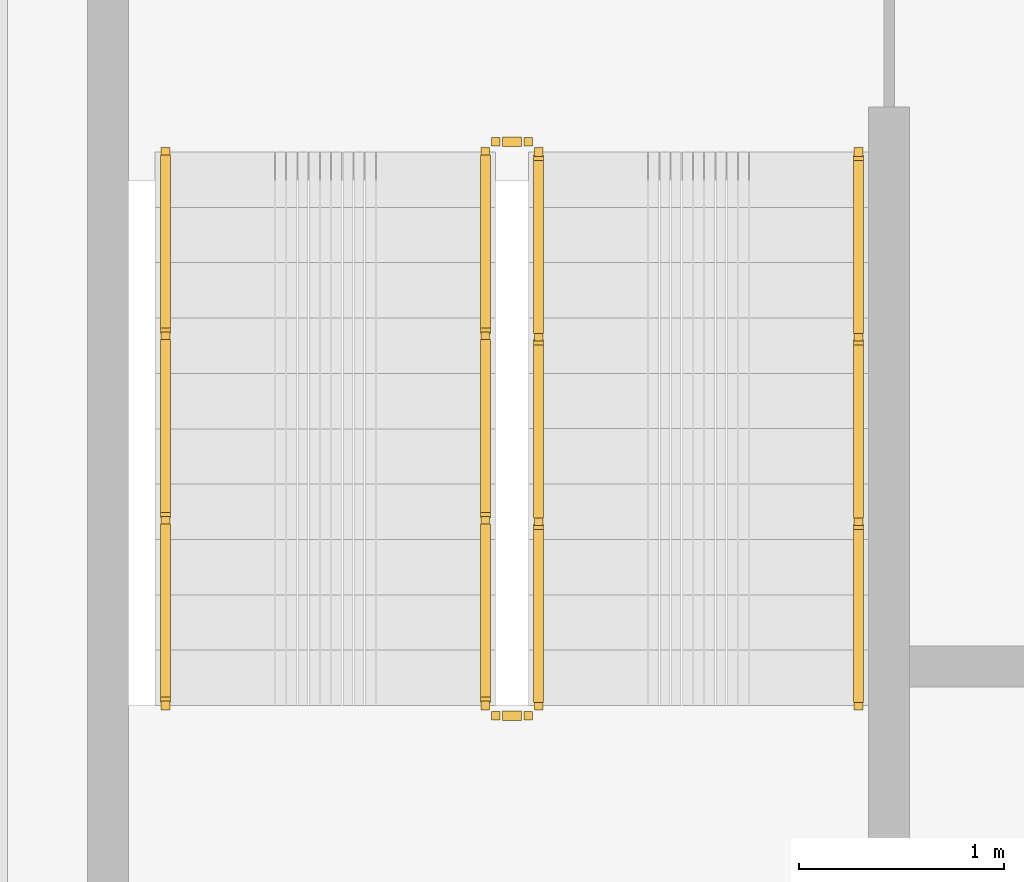
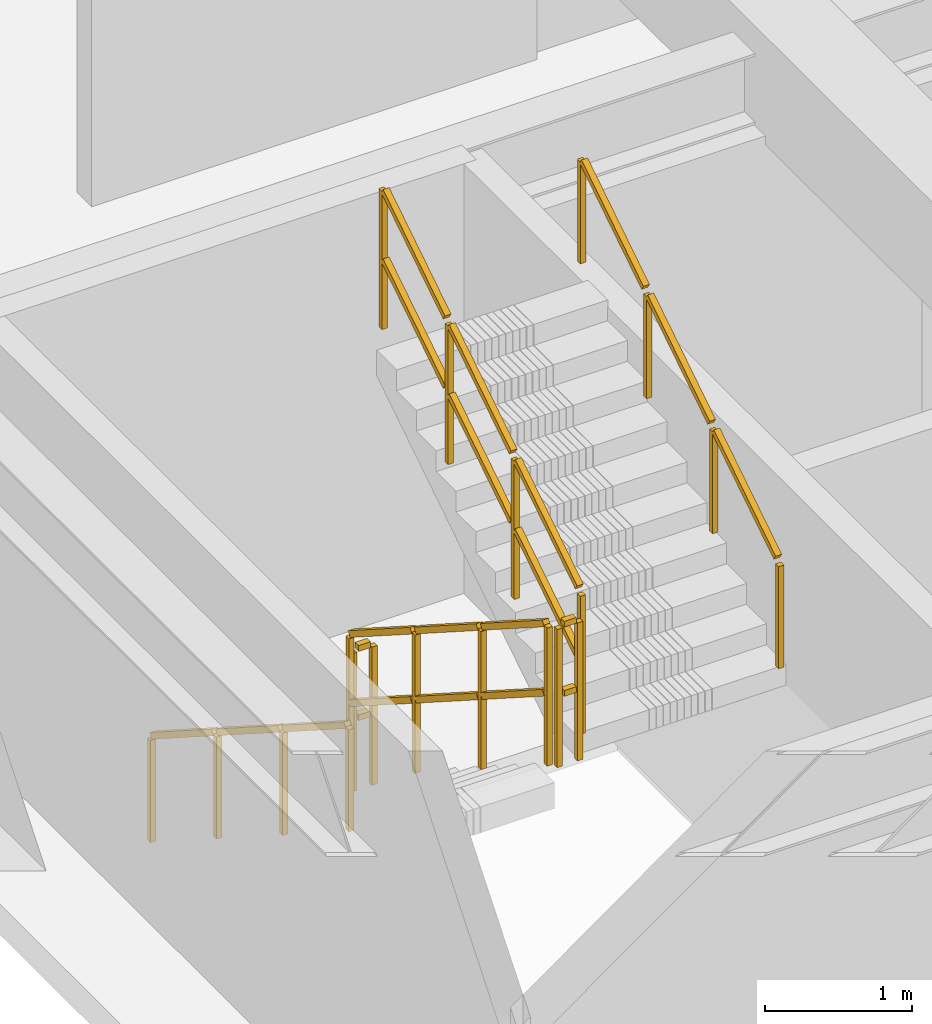
# One storey, part 28 of 28: 6 railings.
"""IFC4 building model written with IfcOpenShell, lengths in metres."""

from ifc_helpers import new_model, si_unit, direction, frame, origin, origin_2d, place, context, subcontext, project, spatial, rectangle, extrude, material, type_object, element, save


model = new_model("IFC4")

# Units and contexts
model_context = context("Model", 3, precision=1e-05, world=origin(), true_north=direction((0.0, 1.0)))
body_context = subcontext(model_context, "Body", "Model", "MODEL_VIEW")
ifc_project = project(units=[si_unit("LENGTHUNIT", "METRE"), si_unit("AREAUNIT", "SQUARE_METRE"), si_unit("VOLUMEUNIT", "CUBIC_METRE"), si_unit("PLANEANGLEUNIT", "RADIAN"), si_unit("MASSUNIT", "GRAM", prefix="KILO")], contexts=[model_context])

# Site, building, storey
site_placement = place(None, origin())
site = spatial("IfcSite", under=ifc_project, at=site_placement, CompositionType="ELEMENT")
building_placement = place(site_placement, origin())
building = spatial("IfcBuilding", under=site, at=building_placement, Name="Saelheon Loggia Tower", CompositionType="ELEMENT")
storey_placement = place(building_placement, frame((0.0, 0.0, 271.199951171875)))
storey = spatial("IfcBuildingStorey", under=building, at=storey_placement, Name="CR6", CompositionType="ELEMENT", Elevation=271.199951171875)

# Railings
ifc_material_1 = material(Name="Galvanised Steel S275 Stairwell Guardrail", Category="steel")
railing_type_1 = type_object("IfcRailingType", Name="Guard_StairWell_RL_STG", PredefinedType="GUARDRAIL", material=ifc_material_1)
railing_1_placement = place(storey_placement, frame((33.4599609375, 23.570068359375, 0.1728515625)))
element("IfcRailing", 1, at=railing_1_placement, inside=storey, type_object=railing_type_1, Name="CR6 ST5 stair guard 1", PredefinedType="GUARDRAIL", context=body_context, shape_type="SweptSolid", body=[
    extrude(rectangle(XDim=0.048095703125, YDim=0.048095703125, at=origin_2d()), frame((0.0, -0.028076171875, 1.19384765625), z_axis=(0.0, -0.842366838036, 0.538904546443), x_axis=(1.0, 0.0, 0.0)), (0.0, 0.0, 1.0), 1.001953125),
    extrude(rectangle(XDim=0.048095703125, YDim=0.048095703125, at=origin_2d()), frame((0.0, -0.028076171875, 0.617919921875), z_axis=(0.0, -0.842366838036, 0.538904546443), x_axis=(1.0, 0.0, 0.0)), (0.0, 0.0, 1.0), 1.001953125),
    extrude(rectangle(XDim=0.048095703125, YDim=0.048095703125, at=origin_2d()), frame((0.0, -0.927978515625, 1.76953125), z_axis=(0.0, -0.842366838036, 0.538904546443), x_axis=(1.0, 0.0, 0.0)), (0.0, 0.0, 1.0), 1.001953125),
    extrude(rectangle(XDim=0.048095703125, YDim=0.048095703125, at=origin_2d()), frame((0.0, -0.927978515625, 1.193603515625), z_axis=(0.0, -0.842366838036, 0.538904546443), x_axis=(1.0, 0.0, 0.0)), (0.0, 0.0, 1.0), 1.001953125),
    extrude(rectangle(XDim=0.048095703125, YDim=0.048095703125, at=origin_2d()), frame((0.0, -1.827880859375, 2.345458984375), z_axis=(0.0, -0.842366838036, 0.538904546443), x_axis=(1.0, 0.0, 0.0)), (0.0, 0.0, 1.0), 1.001953125),
    extrude(rectangle(XDim=0.048095703125, YDim=0.048095703125, at=origin_2d()), frame((0.0, -1.827880859375, 1.76953125), z_axis=(0.0, -0.842366838036, 0.538904546443), x_axis=(1.0, 0.0, 0.0)), (0.0, 0.0, 1.0), 1.001953125),
    extrude(rectangle(XDim=0.0419921875, YDim=0.0419921875, at=origin_2d()), origin(), (0.0, 0.0, 1.0), 1.14794921875),
    extrude(rectangle(XDim=0.0419921875, YDim=0.0419921875, at=origin_2d()), frame((0.0, -0.89990234375, 0.57568359375)), (0.0, 0.0, 1.0), 1.14794921875),
    extrude(rectangle(XDim=0.0419921875, YDim=0.0419921875, at=origin_2d()), frame((0.0, -1.800048828125, 1.151611328125)), (0.0, 0.0, 1.0), 1.14794921875),
    extrude(rectangle(XDim=0.0419921875, YDim=0.0419921875, at=origin_2d()), frame((0.0, -2.699951171875, 1.727294921875)), (0.0, 0.0, 1.0), 1.14794921875),
])
railing_2_placement = place(storey_placement, frame((33.510009765625, 20.820068359375, 1.900146484375)))
element("IfcRailing", 2, at=railing_2_placement, inside=storey, type_object=railing_type_1, Name="CR6 ST5 stair guard 2", PredefinedType="GUARDRAIL", context=body_context, shape_type="SweptSolid", body=[
    extrude(rectangle(XDim=0.048095703125, YDim=0.048095703125, at=origin_2d()), frame((0.033203125, 0.0, 1.17578125), z_axis=(1.0, 0.0, 0.0), x_axis=(0.0, 1.0, 0.0)), (0.0, 0.0, 1.0), 0.093505859375),
    extrude(rectangle(XDim=0.048095703125, YDim=0.048095703125, at=origin_2d()), frame((0.033203125, 0.0, 0.60009765625), z_axis=(1.0, 0.0, 0.0), x_axis=(0.0, 1.0, 0.0)), (0.0, 0.0, 1.0), 0.093505859375),
    extrude(rectangle(XDim=0.0419921875, YDim=0.0419921875, at=origin_2d()), origin(), (0.0, 0.0, 1.0), 1.14794921875),
    extrude(rectangle(XDim=0.0419921875, YDim=0.0419921875, at=origin_2d()), frame((0.159912109375, 0.0, 0.0)), (0.0, 0.0, 1.0), 1.14794921875),
])
railing_3_placement = place(storey_placement, frame((33.719970703125, 20.8701171875, 2.07275390625)))
element("IfcRailing", 3, at=railing_3_placement, inside=storey, type_object=railing_type_1, Name="CR6 ST5 stair guard 3", PredefinedType="GUARDRAIL", context=body_context, shape_type="SweptSolid", body=[
    extrude(rectangle(XDim=0.048095703125, YDim=0.048095703125, at=origin_2d()), frame((0.0, 0.028076171875, 1.19384765625), z_axis=(0.0, 0.842366838036, 0.538904546443), x_axis=(-1.0, 0.0, 0.0)), (0.0, 0.0, 1.0), 1.001953125),
    extrude(rectangle(XDim=0.048095703125, YDim=0.048095703125, at=origin_2d()), frame((0.0, 0.028076171875, 0.617919921875), z_axis=(0.0, 0.842366838036, 0.538904546443), x_axis=(-1.0, 0.0, 0.0)), (0.0, 0.0, 1.0), 1.001953125),
    extrude(rectangle(XDim=0.048095703125, YDim=0.048095703125, at=origin_2d()), frame((0.0, 0.927978515625, 1.76953125), z_axis=(0.0, 0.842366838036, 0.538904546443), x_axis=(-1.0, 0.0, 0.0)), (0.0, 0.0, 1.0), 1.001953125),
    extrude(rectangle(XDim=0.048095703125, YDim=0.048095703125, at=origin_2d()), frame((0.0, 0.927978515625, 1.193603515625), z_axis=(0.0, 0.842366838036, 0.538904546443), x_axis=(-1.0, 0.0, 0.0)), (0.0, 0.0, 1.0), 1.001953125),
    extrude(rectangle(XDim=0.048095703125, YDim=0.048095703125, at=origin_2d()), frame((0.0, 1.827880859375, 2.345458984375), z_axis=(0.0, 0.842366838036, 0.538904546443), x_axis=(-1.0, 0.0, 0.0)), (0.0, 0.0, 1.0), 1.001953125),
    extrude(rectangle(XDim=0.048095703125, YDim=0.048095703125, at=origin_2d()), frame((0.0, 1.827880859375, 1.76953125), z_axis=(0.0, 0.842366838036, 0.538904546443), x_axis=(-1.0, 0.0, 0.0)), (0.0, 0.0, 1.0), 1.001953125),
    extrude(rectangle(XDim=0.0419921875, YDim=0.0419921875, at=origin_2d()), origin(), (0.0, 0.0, 1.0), 1.14794921875),
    extrude(rectangle(XDim=0.0419921875, YDim=0.0419921875, at=origin_2d()), frame((0.0, 0.89990234375, 0.57568359375)), (0.0, 0.0, 1.0), 1.14794921875),
    extrude(rectangle(XDim=0.0419921875, YDim=0.0419921875, at=origin_2d()), frame((0.0, 1.800048828125, 1.151611328125)), (0.0, 0.0, 1.0), 1.14794921875),
    extrude(rectangle(XDim=0.0419921875, YDim=0.0419921875, at=origin_2d()), frame((0.0, 2.699951171875, 1.727294921875)), (0.0, 0.0, 1.0), 1.14794921875),
])
railing_4_placement = place(storey_placement, frame((33.510009765625, 23.6201171875, 0.0)))
element("IfcRailing", 4, at=railing_4_placement, inside=storey, type_object=railing_type_1, Name="CR6 ST5 stair guard 4", PredefinedType="GUARDRAIL", context=body_context, shape_type="SweptSolid", body=[
    extrude(rectangle(XDim=0.048095703125, YDim=0.048095703125, at=origin_2d()), frame((0.033203125, 0.0, 1.17578125), z_axis=(1.0, 0.0, 0.0), x_axis=(0.0, 1.0, 0.0)), (0.0, 0.0, 1.0), 0.093505859375),
    extrude(rectangle(XDim=0.048095703125, YDim=0.048095703125, at=origin_2d()), frame((0.033203125, 0.0, 0.60009765625), z_axis=(1.0, 0.0, 0.0), x_axis=(0.0, 1.0, 0.0)), (0.0, 0.0, 1.0), 0.093505859375),
    extrude(rectangle(XDim=0.0419921875, YDim=0.0419921875, at=origin_2d()), origin(), (0.0, 0.0, 1.0), 1.14794921875),
    extrude(rectangle(XDim=0.0419921875, YDim=0.0419921875, at=origin_2d()), frame((0.159912109375, 0.0, 0.0)), (0.0, 0.0, 1.0), 1.14794921875),
])
ifc_material_2 = material(Name="Stainless Steel 304 Tubular Handrail", Category="steel")
railing_type_2 = type_object("IfcRailingType", Name="Handrail_Stair_RL_HR1", PredefinedType="HANDRAIL", material=ifc_material_2)
railing_5_placement = place(storey_placement, frame((31.89990234375, 23.570068359375, 0.1728515625)))
element("IfcRailing", 5, at=railing_5_placement, inside=storey, type_object=railing_type_2, Name="CR6 ST5 stair handrail 1", PredefinedType="HANDRAIL", context=body_context, shape_type="SweptSolid", body=[
    extrude(rectangle(XDim=0.048095703125, YDim=0.048095703125, at=origin_2d()), frame((0.0, -0.028076171875, 0.893798828125), z_axis=(0.0, -0.842366838036, 0.538904546443), x_axis=(1.0, 0.0, 0.0)), (0.0, 0.0, 1.0), 1.001953125),
    extrude(rectangle(XDim=0.048095703125, YDim=0.048095703125, at=origin_2d()), frame((0.0, -0.927978515625, 1.469482421875), z_axis=(0.0, -0.842366838036, 0.538904546443), x_axis=(1.0, 0.0, 0.0)), (0.0, 0.0, 1.0), 1.001953125),
    extrude(rectangle(XDim=0.048095703125, YDim=0.048095703125, at=origin_2d()), frame((0.0, -1.827880859375, 2.04541015625), z_axis=(0.0, -0.842366838036, 0.538904546443), x_axis=(1.0, 0.0, 0.0)), (0.0, 0.0, 1.0), 1.001953125),
    extrude(rectangle(XDim=0.0419921875, YDim=0.0419921875, at=origin_2d()), origin(), (0.0, 0.0, 1.0), 0.847900390625),
    extrude(rectangle(XDim=0.0419921875, YDim=0.0419921875, at=origin_2d()), frame((0.0, -0.89990234375, 0.57568359375)), (0.0, 0.0, 1.0), 0.847900390625),
    extrude(rectangle(XDim=0.0419921875, YDim=0.0419921875, at=origin_2d()), frame((0.0, -1.800048828125, 1.151611328125)), (0.0, 0.0, 1.0), 0.847900390625),
    extrude(rectangle(XDim=0.0419921875, YDim=0.0419921875, at=origin_2d()), frame((0.0, -2.699951171875, 1.727294921875)), (0.0, 0.0, 1.0), 0.847900390625),
])
railing_6_placement = place(storey_placement, frame((35.280029296875, 20.8701171875, 2.07275390625)))
element("IfcRailing", 6, at=railing_6_placement, inside=storey, type_object=railing_type_2, Name="CR6 ST5 stair handrail 2", PredefinedType="HANDRAIL", context=body_context, shape_type="SweptSolid", body=[
    extrude(rectangle(XDim=0.048095703125, YDim=0.048095703125, at=origin_2d()), frame((0.0, 0.028076171875, 0.893798828125), z_axis=(0.0, 0.842366838036, 0.538904546443), x_axis=(-1.0, 0.0, 0.0)), (0.0, 0.0, 1.0), 1.001953125),
    extrude(rectangle(XDim=0.048095703125, YDim=0.048095703125, at=origin_2d()), frame((0.0, 0.927978515625, 1.469482421875), z_axis=(0.0, 0.842366838036, 0.538904546443), x_axis=(-1.0, 0.0, 0.0)), (0.0, 0.0, 1.0), 1.001953125),
    extrude(rectangle(XDim=0.048095703125, YDim=0.048095703125, at=origin_2d()), frame((0.0, 1.827880859375, 2.04541015625), z_axis=(0.0, 0.842366838036, 0.538904546443), x_axis=(-1.0, 0.0, 0.0)), (0.0, 0.0, 1.0), 1.001953125),
    extrude(rectangle(XDim=0.0419921875, YDim=0.0419921875, at=origin_2d()), origin(), (0.0, 0.0, 1.0), 0.847900390625),
    extrude(rectangle(XDim=0.0419921875, YDim=0.0419921875, at=origin_2d()), frame((0.0, 0.89990234375, 0.57568359375)), (0.0, 0.0, 1.0), 0.847900390625),
    extrude(rectangle(XDim=0.0419921875, YDim=0.0419921875, at=origin_2d()), frame((0.0, 1.800048828125, 1.151611328125)), (0.0, 0.0, 1.0), 0.847900390625),
    extrude(rectangle(XDim=0.0419921875, YDim=0.0419921875, at=origin_2d()), frame((0.0, 2.699951171875, 1.727294921875)), (0.0, 0.0, 1.0), 0.847900390625),
])

save(model, "model.ifc")
